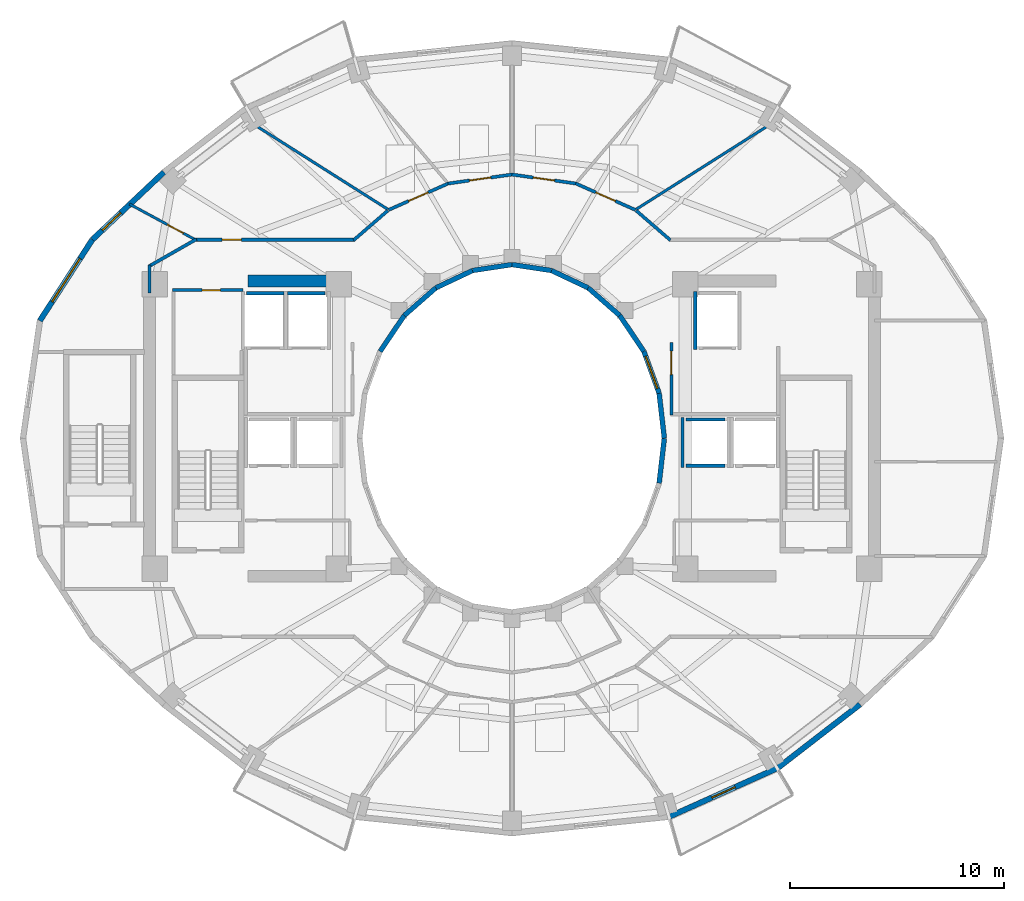
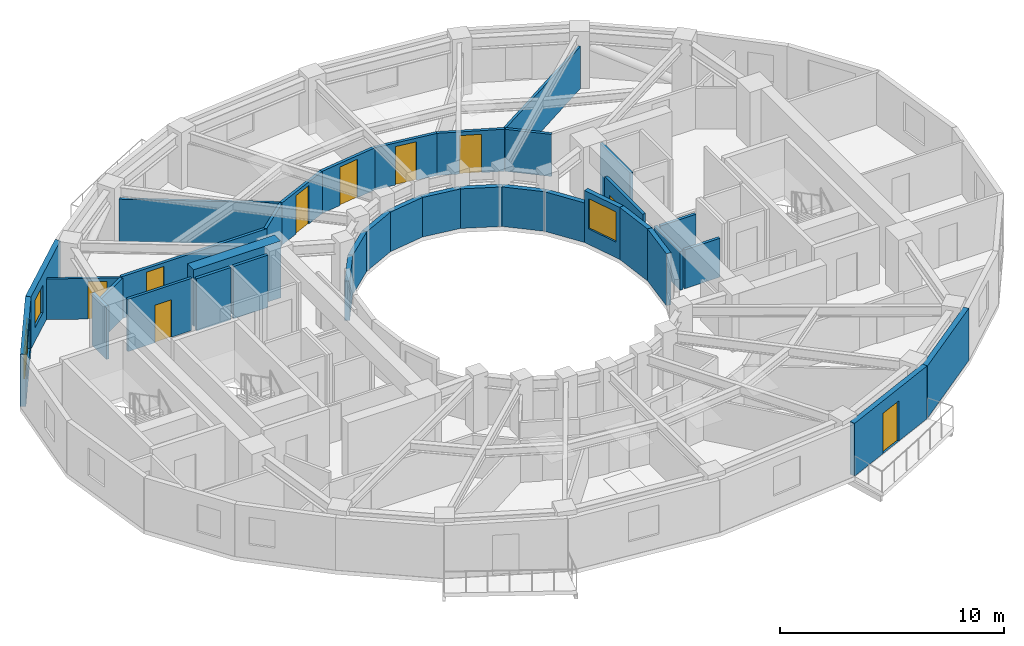
# One storey, part 5 of 10: 36 walls, 9 doors, 3 windows, 12 openings.
"""IFC4 building model written with IfcOpenShell, lengths in metres."""

from ifc_helpers import new_model, si_unit, direction, frame, frame_2d, origin, place, context, subcontext, project, spatial, rectangle, extrude, material, layer, layer_set, type_object, element, fill, save


model = new_model("IFC4")

# Units and contexts
model_context = context("Model", 3, precision=1e-05, world=origin(), true_north=direction((0.0, 1.0)))
body_context = subcontext(model_context, "Body", "Model", "MODEL_VIEW")
ifc_project = project(units=[si_unit("LENGTHUNIT", "METRE"), si_unit("AREAUNIT", "SQUARE_METRE"), si_unit("VOLUMEUNIT", "CUBIC_METRE"), si_unit("PLANEANGLEUNIT", "RADIAN"), si_unit("MASSUNIT", "GRAM", prefix="KILO")], contexts=[model_context])

# Site, building, storey
site_placement = place(None, origin())
site = spatial("IfcSite", under=ifc_project, at=site_placement, CompositionType="ELEMENT")
building_placement = place(site_placement, origin())
building = spatial("IfcBuilding", under=site, at=building_placement, Name="Solvane Sanctuary Tower", CompositionType="ELEMENT")
storey_placement = place(building_placement, frame((0.0, 0.0, 183.89990234375)))
storey = spatial("IfcBuildingStorey", under=building, at=storey_placement, Name="L56", CompositionType="ELEMENT", Elevation=183.89990234375)

# Wall
ifc_material_1 = material(Name="Concrete C50/60", Category="concrete")
ifc_layer_1 = layer(ifc_material_1, 0.550048828125, Name="Concrete C50/60")
ifc_layer_set_1 = layer_set([ifc_layer_1], Name="Concrete C50/60")
wall_type_1 = type_object("IfcWallType", Name="Wall W-CORE-550", PredefinedType="SHEAR", material=ifc_layer_set_1)
wall_1_placement = place(storey_placement, frame((19.64990234375, 30.35009765625, 0.0), z_axis=(0.0, 0.0, 1.0), x_axis=(1.0, 0.0, 0.0)))
element("IfcWall", 1, at=wall_1_placement, inside=storey, type_object=wall_type_1, Name="L56 Core Shear Wall WC-N", PredefinedType="SHEAR", context=body_context, shape_type="SweptSolid", body=[
    extrude(rectangle(XDim=4.5, YDim=0.550048828125, at=frame_2d((2.25, 0.0))), origin(), (0.0, 0.0, 1.0), 3.10009765625),
])

# Wall, opening, door
ifc_material_2 = material(Name="Acoustic Gypsum Partition Board")
ifc_layer_2 = layer(ifc_material_2, 0.14990234375, Name="Acoustic Gypsum Partition Board")
ifc_layer_set_2 = layer_set([ifc_layer_2], Name="Acoustic Gypsum Partition Board")
wall_type_2 = type_object("IfcWallType", Name="Wall W-CORR-150", PredefinedType="PARTITIONING", material=ifc_layer_set_2)
wall_2_placement = place(storey_placement, frame((39.449951171875, 24.080078125, 0.0), z_axis=(0.0, 0.0, 1.0), x_axis=(0.0, 1.0, 0.0)))
wall_2 = element("IfcWall", 2, at=wall_2_placement, inside=storey, type_object=wall_type_2, Name="L56 East Firefighting Lobby West Wall", PredefinedType="PARTITIONING", context=body_context, shape_type="SweptSolid", body=[
    extrude(rectangle(XDim=3.39990234375, YDim=0.14990234375, at=frame_2d((1.699951171875, 0.0))), origin(), (0.0, 0.0, 1.0), 2.85498046875),
])
opening_1_placement = place(wall_2_placement, frame((1.893798828125, 0.0, 0.0)))
opening_1 = element("IfcOpeningElement", 3, at=opening_1_placement, cuts=wall_2, Name="Opening D-L56-09", PredefinedType="OPENING", context=body_context, shape_type="SweptSolid", body=[
    extrude(rectangle(XDim=1.10009765625, YDim=2.10009765625, at=frame_2d((0.550048828125, 1.050048828125))), frame((0.0, 0.0849609375, 0.0), z_axis=(0.0, -1.0, 0.0), x_axis=(1.0, 0.0, 0.0)), (0.0, 0.0, 1.0), 0.169921875),
])
ifc_material_3 = material(Name="Architectural Stainless Steel 316", Category="steel")
door_type_1 = type_object("IfcDoorType", Name="Door D-FFL", OperationType="NOTDEFINED", PredefinedType="DOOR", material=ifc_material_3)
door_1_placement = place(opening_1_placement, origin())
door_1 = element("IfcDoor", 4, at=door_1_placement, inside=storey, type_object=door_type_1, Name="L56 East Firefighting Lobby Fire Door", OperationType="SINGLE_SWING_LEFT", OverallHeight=2.10009765625, OverallWidth=1.10009765625, PredefinedType="DOOR", context=body_context, shape_type="SweptSolid", body=[
    extrude(rectangle(XDim=1.10009765625, YDim=2.10009765625, at=frame_2d((0.550048828125, 1.050048828125))), frame((0.0, 0.02490234375, 0.0), z_axis=(0.0, -1.0, 0.0), x_axis=(1.0, 0.0, 0.0)), (0.0, 0.0, 1.0), 0.050048828125),
])
fill(opening_1, door_1)

# Walls
wall_3_placement = place(storey_placement, frame((37.806640625, 33.64208984375, 0.0), z_axis=(0.0, 0.0, 1.0), x_axis=(0.756055312247, -0.654507727092, 0.0)))
element("IfcWall", 5, at=wall_3_placement, inside=storey, type_object=wall_type_2, Name="L56 NE Corner Throat Wall", PredefinedType="PARTITIONING", context=body_context, shape_type="SweptSolid", body=[
    extrude(rectangle(XDim=2.11083984375, YDim=0.14990234375, at=frame_2d((1.055419921875, 0.0))), origin(), (0.0, 0.0, 1.0), 2.299072265625),
])
wall_4_placement = place(storey_placement, frame((15.050048828125, 29.800048828125, 0.0), z_axis=(0.0, 0.0, 1.0), x_axis=(0.0, 1.0, 0.0)))
element("IfcWall", 6, at=wall_4_placement, inside=storey, type_object=wall_type_2, Name="L56 NW Corner Closer 2", PredefinedType="PARTITIONING", context=body_context, shape_type="SweptSolid", body=[
    extrude(rectangle(XDim=1.2900390625, YDim=0.14990234375, at=frame_2d((0.64501953125, 0.0))), origin(), (0.0, 0.0, 1.0), 2.85498046875),
])
wall_5_placement = place(storey_placement, frame((26.193359375, 33.64208984375, 0.0), z_axis=(0.0, 0.0, 1.0), x_axis=(-0.756055312247, -0.654507727092, 0.0)))
element("IfcWall", 7, at=wall_5_placement, inside=storey, type_object=wall_type_2, Name="L56 NW Corner Throat Wall", PredefinedType="PARTITIONING", context=body_context, shape_type="SweptSolid", body=[
    extrude(rectangle(XDim=2.11083984375, YDim=0.14990234375, at=frame_2d((1.055419921875, 0.0))), origin(), (0.0, 0.0, 1.0), 2.299072265625),
])

# Wall, opening, door
wall_6_placement = place(storey_placement, frame((17.14990234375, 32.280029296875, 0.0), z_axis=(0.0, 0.0, 1.0), x_axis=(1.0, 0.0, 0.0)))
wall_6 = element("IfcWall", 8, at=wall_6_placement, inside=storey, type_object=wall_type_2, Name="L56 NW Corner Corridor Wall", PredefinedType="PARTITIONING", context=body_context, shape_type="SweptSolid", body=[
    extrude(rectangle(XDim=7.52001953125, YDim=0.14990234375, at=frame_2d((3.760009765625, 0.0))), origin(), (0.0, 0.0, 1.0), 2.299072265625),
])
opening_2_placement = place(wall_6_placement, frame((1.300048828125, 0.0, 0.0)))
opening_2 = element("IfcOpeningElement", 9, at=opening_2_placement, cuts=wall_6, Name="Opening D-L56-18", PredefinedType="OPENING", context=body_context, shape_type="SweptSolid", body=[
    extrude(rectangle(XDim=0.89990234375, YDim=2.10009765625, at=frame_2d((0.449951171875, 1.050048828125))), frame((0.0, 0.0849609375, 0.0), z_axis=(0.0, -1.0, 0.0), x_axis=(1.0, 0.0, 0.0)), (0.0, 0.0, 1.0), 0.169921875),
])
ifc_material_4 = material(Name="Engineered Tropical Hardwood", Category="wood")
door_type_2 = type_object("IfcDoorType", Name="Door D-WET-900", OperationType="NOTDEFINED", PredefinedType="DOOR", material=ifc_material_4)
door_2_placement = place(opening_2_placement, origin())
door_2 = element("IfcDoor", 10, at=door_2_placement, inside=storey, type_object=door_type_2, Name="L56 NW Corner Salon Door", OperationType="SINGLE_SWING_RIGHT", OverallHeight=2.10009765625, OverallWidth=0.89990234375, PredefinedType="DOOR", context=body_context, shape_type="SweptSolid", body=[
    extrude(rectangle(XDim=0.89990234375, YDim=2.10009765625, at=frame_2d((0.449951171875, 1.050048828125))), frame((0.0, 0.02490234375, 0.0), z_axis=(0.0, -1.0, 0.0), x_axis=(1.0, 0.0, 0.0)), (0.0, 0.0, 1.0), 0.050048828125),
])
fill(opening_2, door_2)

# Wall
wall_7_placement = place(storey_placement, frame((17.243408203125, 32.3046875, 0.0), z_axis=(0.0, 0.0, 1.0), x_axis=(-0.867991349648, -0.496579315857, 0.0)))
element("IfcWall", 11, at=wall_7_placement, inside=storey, type_object=wall_type_2, Name="L56 NW Corner Wing Wall", PredefinedType="PARTITIONING", context=body_context, shape_type="SweptSolid", body=[
    extrude(rectangle(XDim=2.56689453125, YDim=0.14990234375, at=frame_2d((1.283447265625, 0.0))), origin(), (0.0, 0.0, 1.0), 2.22021484375),
])

# Wall, opening, door
wall_8_placement = place(storey_placement, frame((37.77197265625, 33.673828125, 0.0), z_axis=(0.0, 0.0, 1.0), x_axis=(-0.914324470734, 0.404982422108, 0.0)))
wall_8 = element("IfcWall", 12, at=wall_8_placement, inside=storey, type_object=wall_type_2, Name="L56 Unit Corridor Wall N1", PredefinedType="PARTITIONING", context=body_context, shape_type="SweptSolid", body=[
    extrude(rectangle(XDim=3.0576171875, YDim=0.14990234375, at=frame_2d((1.52880859375, 0.0))), origin(), (0.0, 0.0, 1.0), 2.299072265625),
])
opening_3_placement = place(wall_8_placement, frame((1.02880859375, 0.0, 0.0)))
opening_3 = element("IfcOpeningElement", 13, at=opening_3_placement, cuts=wall_8, Name="Opening D-L56-24", PredefinedType="OPENING", context=body_context, shape_type="SweptSolid", body=[
    extrude(rectangle(XDim=1.0, YDim=2.10009765625, at=frame_2d((0.5, 1.050048828125))), frame((0.0, 0.0849609375, 0.0), z_axis=(0.0, -1.0, 0.0), x_axis=(1.0, 0.0, 0.0)), (0.0, 0.0, 1.0), 0.169921875),
])
door_type_3 = type_object("IfcDoorType", Name="Door D-UNIT", OperationType="NOTDEFINED", PredefinedType="DOOR", material=ifc_material_4)
door_3_placement = place(opening_3_placement, origin())
door_3 = element("IfcDoor", 14, at=door_3_placement, inside=storey, type_object=door_type_3, Name="L56 Unit Entrance Door N1", OperationType="SINGLE_SWING_RIGHT", OverallHeight=2.10009765625, OverallWidth=1.0, PredefinedType="DOOR", context=body_context, shape_type="SweptSolid", body=[
    extrude(rectangle(XDim=1.0, YDim=2.10009765625, at=frame_2d((0.5, 1.050048828125))), frame((0.0, 0.02490234375, 0.0), z_axis=(0.0, -1.0, 0.0), x_axis=(1.0, 0.0, 0.0)), (0.0, 0.0, 1.0), 0.050048828125),
])
fill(opening_3, door_3)

wall_9_placement = place(storey_placement, frame((34.991943359375, 34.90771484375, 0.0), z_axis=(0.0, 0.0, 1.0), x_axis=(-0.990234341072, 0.139412875167, 0.0)))
wall_9 = element("IfcWall", 15, at=wall_9_placement, inside=storey, type_object=wall_type_2, Name="L56 Unit Corridor Wall N2", PredefinedType="PARTITIONING", context=body_context, shape_type="SweptSolid", body=[
    extrude(rectangle(XDim=3.029541015625, YDim=0.14990234375, at=frame_2d((1.5146484375, 0.0))), origin(), (0.0, 0.0, 1.0), 2.299072265625),
])
opening_4_placement = place(wall_9_placement, frame((1.014892578125, 0.0, 0.0)))
opening_4 = element("IfcOpeningElement", 16, at=opening_4_placement, cuts=wall_9, Name="Opening D-L56-25", PredefinedType="OPENING", context=body_context, shape_type="SweptSolid", body=[
    extrude(rectangle(XDim=1.0, YDim=2.10009765625, at=frame_2d((0.5, 1.050048828125))), frame((0.0, 0.0849609375, 0.0), z_axis=(0.0, -1.0, 0.0), x_axis=(1.0, 0.0, 0.0)), (0.0, 0.0, 1.0), 0.169921875),
])
door_4_placement = place(opening_4_placement, origin())
door_4 = element("IfcDoor", 17, at=door_4_placement, inside=storey, type_object=door_type_3, Name="L56 Unit Entrance Door N2", OperationType="SINGLE_SWING_LEFT", OverallHeight=2.10009765625, OverallWidth=1.0, PredefinedType="DOOR", context=body_context, shape_type="SweptSolid", body=[
    extrude(rectangle(XDim=1.0, YDim=2.10009765625, at=frame_2d((0.5, 1.050048828125))), frame((0.0, 0.02490234375, 0.0), z_axis=(0.0, -1.0, 0.0), x_axis=(1.0, 0.0, 0.0)), (0.0, 0.0, 1.0), 0.050048828125),
])
fill(opening_4, door_4)

wall_10_placement = place(storey_placement, frame((32.008056640625, 35.330078125, 0.0), z_axis=(0.0, 0.0, 1.0), x_axis=(-0.990234341072, -0.139412875167, 0.0)))
wall_10 = element("IfcWall", 18, at=wall_10_placement, inside=storey, type_object=wall_type_2, Name="L56 Unit Corridor Wall N3", PredefinedType="PARTITIONING", context=body_context, shape_type="SweptSolid", body=[
    extrude(rectangle(XDim=3.029541015625, YDim=0.14990234375, at=frame_2d((1.5146484375, 0.0))), origin(), (0.0, 0.0, 1.0), 2.299072265625),
])
opening_5_placement = place(wall_10_placement, frame((1.014892578125, 0.0, 0.0)))
opening_5 = element("IfcOpeningElement", 19, at=opening_5_placement, cuts=wall_10, Name="Opening D-L56-26", PredefinedType="OPENING", context=body_context, shape_type="SweptSolid", body=[
    extrude(rectangle(XDim=1.0, YDim=2.10009765625, at=frame_2d((0.5, 1.050048828125))), frame((0.0, 0.0849609375, 0.0), z_axis=(0.0, -1.0, 0.0), x_axis=(1.0, 0.0, 0.0)), (0.0, 0.0, 1.0), 0.169921875),
])
door_5_placement = place(opening_5_placement, origin())
door_5 = element("IfcDoor", 20, at=door_5_placement, inside=storey, type_object=door_type_3, Name="L56 Unit Entrance Door N3", OperationType="SINGLE_SWING_RIGHT", OverallHeight=2.10009765625, OverallWidth=1.0, PredefinedType="DOOR", context=body_context, shape_type="SweptSolid", body=[
    extrude(rectangle(XDim=1.0, YDim=2.10009765625, at=frame_2d((0.5, 1.050048828125))), frame((0.0, 0.02490234375, 0.0), z_axis=(0.0, -1.0, 0.0), x_axis=(1.0, 0.0, 0.0)), (0.0, 0.0, 1.0), 0.050048828125),
])
fill(opening_5, door_5)

wall_11_placement = place(storey_placement, frame((29.023681640625, 34.912109375, 0.0), z_axis=(0.0, 0.0, 1.0), x_axis=(-0.914324470734, -0.404982422108, 0.0)))
wall_11 = element("IfcWall", 21, at=wall_11_placement, inside=storey, type_object=wall_type_2, Name="L56 Unit Corridor Wall N4", PredefinedType="PARTITIONING", context=body_context, shape_type="SweptSolid", body=[
    extrude(rectangle(XDim=3.0576171875, YDim=0.14990234375, at=frame_2d((1.52880859375, 0.0))), origin(), (0.0, 0.0, 1.0), 2.299072265625),
])
opening_6_placement = place(wall_11_placement, frame((1.02880859375, 0.0, 0.0)))
opening_6 = element("IfcOpeningElement", 22, at=opening_6_placement, cuts=wall_11, Name="Opening D-L56-27", PredefinedType="OPENING", context=body_context, shape_type="SweptSolid", body=[
    extrude(rectangle(XDim=1.0, YDim=2.10009765625, at=frame_2d((0.5, 1.050048828125))), frame((0.0, 0.0849609375, 0.0), z_axis=(0.0, -1.0, 0.0), x_axis=(1.0, 0.0, 0.0)), (0.0, 0.0, 1.0), 0.169921875),
])
door_6_placement = place(opening_6_placement, origin())
door_6 = element("IfcDoor", 23, at=door_6_placement, inside=storey, type_object=door_type_3, Name="L56 Unit Entrance Door N4", OperationType="SINGLE_SWING_LEFT", OverallHeight=2.10009765625, OverallWidth=1.0, PredefinedType="DOOR", context=body_context, shape_type="SweptSolid", body=[
    extrude(rectangle(XDim=1.0, YDim=2.10009765625, at=frame_2d((0.5, 1.050048828125))), frame((0.0, 0.02490234375, 0.0), z_axis=(0.0, -1.0, 0.0), x_axis=(1.0, 0.0, 0.0)), (0.0, 0.0, 1.0), 0.050048828125),
])
fill(opening_6, door_6)

# Wall, opening, window
ifc_material_5 = material(Name="Precast concrete C40/50", Category="concrete")
ifc_layer_3 = layer(ifc_material_5, 0.260009765625, Name="Precast concrete C40/50")
ifc_layer_set_3 = layer_set([ifc_layer_3], Name="Precast concrete C40/50")
wall_type_3 = type_object("IfcWallType", Name="Wall W-EXT-250", PredefinedType="STANDARD", material=ifc_layer_set_3)
wall_12_placement = place(storey_placement, frame((15.730712890625, 35.44140625, 0.0), z_axis=(0.0, 0.0, 1.0), x_axis=(-0.727667301037, -0.68593024354, 0.0)))
wall_12 = element("IfcWall", 24, at=wall_12_placement, inside=storey, type_object=wall_type_3, Name="L56 Ceramic-Printed Facade Wall 09", PredefinedType="STANDARD", context=body_context, shape_type="SweptSolid", body=[
    extrude(rectangle(XDim=4.603515625, YDim=0.260009765625, at=frame_2d((2.3017578125, 0.0))), origin(), (0.0, 0.0, 1.0), 2.85009765625),
])
opening_7_placement = place(wall_12_placement, frame((2.772216796875, 0.0, 0.75)))
opening_7 = element("IfcOpeningElement", 25, at=opening_7_placement, cuts=wall_12, Name="Opening WN-OPER-1200", PredefinedType="OPENING", context=body_context, shape_type="SweptSolid", body=[
    extrude(rectangle(XDim=1.199951171875, YDim=1.5, at=frame_2d((0.60009765625, 0.75))), frame((0.0, 0.139892578125, 0.0), z_axis=(0.0, -1.0, 0.0), x_axis=(1.0, 0.0, 0.0)), (0.0, 0.0, 1.0), 0.280029296875),
])
ifc_material_6 = material(Name="Dark Ceramic-Fritted Low-E Glass", Category="glass")
window_type_1 = type_object("IfcWindowType", Name="Window WN-OPER-1200", PartitioningType="SINGLE_PANEL", PredefinedType="WINDOW", material=ifc_material_6)
window_1_placement = place(opening_7_placement, origin())
window_1 = element("IfcWindow", 26, at=window_1_placement, inside=storey, type_object=window_type_1, Name="L56 Operable Facade Window 09", OverallHeight=1.5, OverallWidth=1.199951171875, PartitioningType="SINGLE_PANEL", PredefinedType="WINDOW", context=body_context, shape_type="SweptSolid", body=[
    extrude(rectangle(XDim=1.199951171875, YDim=1.5, at=frame_2d((0.60009765625, 0.75))), frame((0.0, 0.030029296875, 0.0), z_axis=(0.0, -1.0, 0.0), x_axis=(1.0, 0.0, 0.0)), (0.0, 0.0, 1.0), 0.06005859375),
])
fill(opening_7, window_1)

wall_13_placement = place(storey_placement, frame((12.380859375, 32.28369140625, 0.0), z_axis=(0.0, 0.0, 1.0), x_axis=(-0.543358984534, -0.839500454989, 0.0)))
wall_13 = element("IfcWall", 27, at=wall_13_placement, inside=storey, type_object=wall_type_3, Name="L56 Ceramic-Printed Facade Wall 10", PredefinedType="STANDARD", context=body_context, shape_type="SweptSolid", body=[
    extrude(rectangle(XDim=4.51123046875, YDim=0.260009765625, at=frame_2d((2.255615234375, 0.0))), origin(), (0.0, 0.0, 1.0), 2.85009765625),
])
opening_8_placement = place(wall_13_placement, frame((1.0556640625, 0.0, 0.75)))
opening_8 = element("IfcOpeningElement", 28, at=opening_8_placement, cuts=wall_13, Name="Opening WN-RIB-2400", PredefinedType="OPENING", context=body_context, shape_type="SweptSolid", body=[
    extrude(rectangle(XDim=2.39990234375, YDim=1.699951171875, at=frame_2d((1.199951171875, 0.85009765625))), frame((0.0, 0.139892578125, 0.0), z_axis=(0.0, -1.0, 0.0), x_axis=(1.0, 0.0, 0.0)), (0.0, 0.0, 1.0), 0.280029296875),
])
window_type_2 = type_object("IfcWindowType", Name="Window WN-RIB-2400", PartitioningType="SINGLE_PANEL", PredefinedType="WINDOW", material=ifc_material_6)
window_2_placement = place(opening_8_placement, origin())
window_2 = element("IfcWindow", 29, at=window_2_placement, inside=storey, type_object=window_type_2, Name="L56 Operable Facade Window 10", OverallHeight=1.699951171875, OverallWidth=2.39990234375, PartitioningType="SINGLE_PANEL", PredefinedType="WINDOW", context=body_context, shape_type="SweptSolid", body=[
    extrude(rectangle(XDim=2.39990234375, YDim=1.699951171875, at=frame_2d((1.199951171875, 0.85009765625))), frame((0.0, 0.030029296875, 0.0), z_axis=(0.0, -1.0, 0.0), x_axis=(1.0, 0.0, 0.0)), (0.0, 0.0, 1.0), 0.06005859375),
])
fill(opening_8, window_2)

# Wall, opening, door
wall_14_placement = place(storey_placement, frame((39.365234375, 5.3154296875, 0.0), z_axis=(0.0, 0.0, 1.0), x_axis=(0.912353637112, 0.409403029847, 0.0)))
wall_14 = element("IfcWall", 30, at=wall_14_placement, inside=storey, type_object=wall_type_3, Name="L56 Balcony Facade Wall S2", PredefinedType="STANDARD", context=body_context, shape_type="SweptSolid", body=[
    extrude(rectangle(XDim=5.53271484375, YDim=0.260009765625, at=frame_2d((2.766357421875, 0.0))), origin(), (0.0, 0.0, 1.0), 2.880126953125),
])
opening_9_placement = place(wall_14_placement, frame((2.16650390625, 0.0, 0.0)))
opening_9 = element("IfcOpeningElement", 31, at=opening_9_placement, cuts=wall_14, Name="Opening D-L56-04", PredefinedType="OPENING", context=body_context, shape_type="SweptSolid", body=[
    extrude(rectangle(XDim=1.199951171875, YDim=2.199951171875, at=frame_2d((0.60009765625, 1.10009765625))), frame((0.0, 0.139892578125, 0.0), z_axis=(0.0, -1.0, 0.0), x_axis=(1.0, 0.0, 0.0)), (0.0, 0.0, 1.0), 0.280029296875),
])
ifc_material_7 = material(Name="Anodised Aluminium 6063-T6", Category="aluminium")
door_type_4 = type_object("IfcDoorType", Name="Door D-BALC-1200", OperationType="NOTDEFINED", PredefinedType="DOOR", material=ifc_material_7)
door_7_placement = place(opening_9_placement, origin())
door_7 = element("IfcDoor", 32, at=door_7_placement, inside=storey, type_object=door_type_4, Name="L56 Glazed Balcony Door S2", OperationType="SINGLE_SWING_LEFT", OverallHeight=2.199951171875, OverallWidth=1.199951171875, PredefinedType="DOOR", context=body_context, shape_type="SweptSolid", body=[
    extrude(rectangle(XDim=1.199951171875, YDim=2.199951171875, at=frame_2d((0.60009765625, 1.10009765625))), frame((0.0, 0.02490234375, 0.0), z_axis=(0.0, -1.0, 0.0), x_axis=(1.0, 0.0, 0.0)), (0.0, 0.0, 1.0), 0.050048828125),
])
fill(opening_9, door_7)

# Walls
wall_15_placement = place(storey_placement, frame((44.4130859375, 7.58056640625, 0.0), z_axis=(0.0, 0.0, 1.0), x_axis=(0.791460185804, 0.611220724687, 0.0)))
element("IfcWall", 33, at=wall_15_placement, inside=storey, type_object=wall_type_3, Name="L56 Ceramic-Printed Facade Wall 20", PredefinedType="STANDARD", context=body_context, shape_type="SweptSolid", body=[
    extrude(rectangle(XDim=4.872314453125, YDim=0.260009765625, at=frame_2d((2.43603515625, 0.0))), origin(), (0.0, 0.0, 1.0), 2.85009765625),
])
ifc_layer_4 = layer(ifc_material_5, 0.22998046875, Name="Precast concrete C40/50")
ifc_layer_set_4 = layer_set([ifc_layer_4], Name="Precast concrete C40/50")
wall_type_4 = type_object("IfcWallType", Name="Wall W-EXT-SP220", PredefinedType="STANDARD", material=ifc_layer_set_4)
wall_16_placement = place(storey_placement, frame((39.1201171875, 23.0, 0.0), z_axis=(0.0, 0.0, 1.0), x_axis=(-0.114711713601, 0.993398823617, 0.0)))
element("IfcWall", 34, at=wall_16_placement, inside=storey, type_object=wall_type_4, Name="L56 Central Light-Well Wall 00", PredefinedType="STANDARD", context=body_context, shape_type="SweptSolid", body=[
    extrude(rectangle(XDim=2.115478515625, YDim=0.22998046875, at=frame_2d((1.0576171875, 0.0))), origin(), (0.0, 0.0, 1.0), 2.840087890625),
])

# Wall, opening, window
wall_17_placement = place(storey_placement, frame((38.87744140625, 25.1015625, 0.0), z_axis=(0.0, 0.0, 1.0), x_axis=(-0.341423187295, 0.93990968033, 0.0)))
wall_17 = element("IfcWall", 35, at=wall_17_placement, inside=storey, type_object=wall_type_4, Name="L56 Central Light-Well Wall 01", PredefinedType="STANDARD", context=body_context, shape_type="SweptSolid", body=[
    extrude(rectangle(XDim=2.083740234375, YDim=0.22998046875, at=frame_2d((1.0419921875, 0.0))), origin(), (0.0, 0.0, 1.0), 2.840087890625),
])
opening_10_placement = place(wall_17_placement, frame((0.24169921875, 0.0, 0.85009765625)))
opening_10 = element("IfcOpeningElement", 36, at=opening_10_placement, cuts=wall_17, Name="Opening WN-WELL-1600", PredefinedType="OPENING", context=body_context, shape_type="SweptSolid", body=[
    extrude(rectangle(XDim=1.60009765625, YDim=1.64990234375, at=frame_2d((0.800048828125, 0.824951171875))), frame((0.0, 0.125, 0.0), z_axis=(0.0, -1.0, 0.0), x_axis=(1.0, 0.0, 0.0)), (0.0, 0.0, 1.0), 0.25),
])
ifc_material_8 = material(Name="Clear Laminated Light-Well Glass", Category="glass")
window_type_3 = type_object("IfcWindowType", Name="Window WN-WELL-1600", PartitioningType="SINGLE_PANEL", PredefinedType="WINDOW", material=ifc_material_8)
window_3_placement = place(opening_10_placement, origin())
window_3 = element("IfcWindow", 37, at=window_3_placement, inside=storey, type_object=window_type_3, Name="L56 Light-Well Daylight Window 01", OverallHeight=1.64990234375, OverallWidth=1.60009765625, PartitioningType="SINGLE_PANEL", PredefinedType="WINDOW", context=body_context, shape_type="SweptSolid", body=[
    extrude(rectangle(XDim=1.60009765625, YDim=1.64990234375, at=frame_2d((0.800048828125, 0.824951171875))), frame((0.0, 0.030029296875, 0.0), z_axis=(0.0, -1.0, 0.0), x_axis=(1.0, 0.0, 0.0)), (0.0, 0.0, 1.0), 0.06005859375),
])
fill(opening_10, window_3)

# Walls
wall_18_placement = place(storey_placement, frame((38.166015625, 27.06005859375, 0.0), z_axis=(0.0, 0.0, 1.0), x_axis=(-0.558197800898, 0.829707909492, 0.0)))
element("IfcWall", 38, at=wall_18_placement, inside=storey, type_object=wall_type_4, Name="L56 Central Light-Well Wall 02", PredefinedType="STANDARD", context=body_context, shape_type="SweptSolid", body=[
    extrude(rectangle(XDim=2.02685546875, YDim=0.22998046875, at=frame_2d((1.013427734375, 0.0))), origin(), (0.0, 0.0, 1.0), 2.16015625),
])
wall_19_placement = place(storey_placement, frame((37.03466796875, 28.74169921875, 0.0), z_axis=(0.0, 0.0, 1.0), x_axis=(-0.752576694707, 0.658504607869, 0.0)))
element("IfcWall", 39, at=wall_19_placement, inside=storey, type_object=wall_type_4, Name="L56 Central Light-Well Wall 03", PredefinedType="STANDARD", context=body_context, shape_type="SweptSolid", body=[
    extrude(rectangle(XDim=1.95947265625, YDim=0.22998046875, at=frame_2d((0.979736328125, 0.0))), origin(), (0.0, 0.0, 1.0), 2.16015625),
])
wall_20_placement = place(storey_placement, frame((35.56005859375, 30.031982421875, 0.0), z_axis=(0.0, 0.0, 1.0), x_axis=(-0.904179699603, 0.427152280606, 0.0)))
element("IfcWall", 40, at=wall_20_placement, inside=storey, type_object=wall_type_4, Name="L56 Central Light-Well Wall 04", PredefinedType="STANDARD", context=body_context, shape_type="SweptSolid", body=[
    extrude(rectangle(XDim=1.899169921875, YDim=0.22998046875, at=frame_2d((0.94970703125, 0.0))), origin(), (0.0, 0.0, 1.0), 2.16015625),
])
for number, where, z_axis, x_axis, name in (
    (41, (33.8427734375, 30.84326171875, 0.0), (0.0, 0.0, 1.0), (-0.988901730308, 0.148571086668, 0.0), "L56 Central Light-Well Wall 05"),
    (42, (32.0, 31.1201171875, 0.0), (0.0, 0.0, 1.0), (-0.988901730308, -0.148571086668, 0.0), "L56 Central Light-Well Wall 06"),
):
    element("IfcWall", number, at=place(storey_placement, frame(where, z_axis=z_axis, x_axis=x_axis)), inside=storey, type_object=wall_type_4, Name=name, PredefinedType="STANDARD", context=body_context, shape_type="SweptSolid", body=[
        extrude(rectangle(XDim=1.863525390625, YDim=0.22998046875, at=frame_2d((0.931640625, 0.0))), origin(), (0.0, 0.0, 1.0), 2.16015625),
    ])
wall_21_placement = place(storey_placement, frame((30.1572265625, 30.84326171875, 0.0), z_axis=(0.0, 0.0, 1.0), x_axis=(-0.904179699603, -0.427152280606, 0.0)))
element("IfcWall", 43, at=wall_21_placement, inside=storey, type_object=wall_type_4, Name="L56 Central Light-Well Wall 07", PredefinedType="STANDARD", context=body_context, shape_type="SweptSolid", body=[
    extrude(rectangle(XDim=1.899169921875, YDim=0.22998046875, at=frame_2d((0.94970703125, 0.0))), origin(), (0.0, 0.0, 1.0), 2.16015625),
])
wall_22_placement = place(storey_placement, frame((28.43994140625, 30.031982421875, 0.0), z_axis=(0.0, 0.0, 1.0), x_axis=(-0.752576694707, -0.658504607869, 0.0)))
element("IfcWall", 44, at=wall_22_placement, inside=storey, type_object=wall_type_4, Name="L56 Central Light-Well Wall 08", PredefinedType="STANDARD", context=body_context, shape_type="SweptSolid", body=[
    extrude(rectangle(XDim=1.95947265625, YDim=0.22998046875, at=frame_2d((0.979736328125, 0.0))), origin(), (0.0, 0.0, 1.0), 2.16015625),
])
wall_23_placement = place(storey_placement, frame((26.96533203125, 28.74169921875, 0.0), z_axis=(0.0, 0.0, 1.0), x_axis=(-0.558197800898, -0.829707909492, 0.0)))
element("IfcWall", 45, at=wall_23_placement, inside=storey, type_object=wall_type_4, Name="L56 Central Light-Well Wall 09", PredefinedType="STANDARD", context=body_context, shape_type="SweptSolid", body=[
    extrude(rectangle(XDim=2.02685546875, YDim=0.22998046875, at=frame_2d((1.013427734375, 0.0))), origin(), (0.0, 0.0, 1.0), 2.16015625),
])
wall_24_placement = place(storey_placement, frame((38.87744140625, 20.8984375, 0.0), z_axis=(0.0, 0.0, 1.0), x_axis=(0.114711713601, 0.993398823617, 0.0)))
element("IfcWall", 46, at=wall_24_placement, inside=storey, type_object=wall_type_4, Name="L56 Central Light-Well Wall 23", PredefinedType="STANDARD", context=body_context, shape_type="SweptSolid", body=[
    extrude(rectangle(XDim=2.115478515625, YDim=0.22998046875, at=frame_2d((1.0576171875, 0.0))), origin(), (0.0, 0.0, 1.0), 2.840087890625),
])

# Wall, opening, door
ifc_layer_5 = layer(ifc_material_2, 0.1201171875, Name="Acoustic Gypsum Partition Board")
ifc_layer_set_5 = layer_set([ifc_layer_5], Name="Acoustic Gypsum Partition Board")
wall_type_5 = type_object("IfcWallType", Name="Wall W-MOV-100", PredefinedType="MOVABLE", material=ifc_layer_set_5)
wall_25_placement = place(storey_placement, frame((17.243896484375, 32.256103515625, 0.0), z_axis=(0.0, 0.0, 1.0), x_axis=(-0.879385297668, 0.476110804587, 0.0)))
wall_25 = element("IfcWall", 47, at=wall_25_placement, inside=storey, type_object=wall_type_5, Name="L56 NW Corner Suite Partition", PredefinedType="MOVABLE", context=body_context, shape_type="SweptSolid", body=[
    extrude(rectangle(XDim=3.559814453125, YDim=0.1201171875, at=frame_2d((1.77978515625, 0.0))), origin(), (0.0, 0.0, 1.0), 2.22021484375),
])
opening_11_placement = place(wall_25_placement, frame((0.6943359375, 0.0, 0.0)))
opening_11 = element("IfcOpeningElement", 48, at=opening_11_placement, cuts=wall_25, Name="Opening D-L56-17", PredefinedType="OPENING", context=body_context, shape_type="SweptSolid", body=[
    extrude(rectangle(XDim=0.85009765625, YDim=2.050048828125, at=frame_2d((0.425048828125, 1.02490234375))), frame((0.0, 0.070068359375, 0.0), z_axis=(0.0, -1.0, 0.0), x_axis=(1.0, 0.0, 0.0)), (0.0, 0.0, 1.0), 0.14013671875),
])
door_type_5 = type_object("IfcDoorType", Name="Door D-RISER", OperationType="NOTDEFINED", PredefinedType="DOOR", material=ifc_material_3)
door_8_placement = place(opening_11_placement, origin())
door_8 = element("IfcDoor", 49, at=door_8_placement, inside=storey, type_object=door_type_5, Name="L56 NW Corner Suite Door", OperationType="SINGLE_SWING_LEFT", OverallHeight=2.050048828125, OverallWidth=0.85009765625, PredefinedType="DOOR", context=body_context, shape_type="SweptSolid", body=[
    extrude(rectangle(XDim=0.85009765625, YDim=2.050048828125, at=frame_2d((0.425048828125, 1.02490234375))), frame((0.0, 0.02490234375, 0.0), z_axis=(0.0, -1.0, 0.0), x_axis=(1.0, 0.0, 0.0)), (0.0, 0.0, 1.0), 0.050048828125),
])
fill(opening_11, door_8)

# Walls
ifc_layer_6 = layer(ifc_material_2, 0.125, Name="Acoustic Gypsum Partition Board")
ifc_layer_set_6 = layer_set([ifc_layer_6], Name="Acoustic Gypsum Partition Board")
wall_type_6 = type_object("IfcWallType", Name="Wall W-PART-125", PredefinedType="PARTITIONING", material=ifc_layer_set_6)
for number, where, z_axis, x_axis, name in (
    (50, (37.8115234375, 33.70751953125, 0.0), (0.0, 0.0, 1.0), (0.844640430122, 0.535334048799, 0.0), "L56 Radial Compartment Wall 060"),
    (51, (26.1884765625, 33.70751953125, 0.0), (0.0, 0.0, 1.0), (-0.844640430122, 0.535334048799, 0.0), "L56 Radial Compartment Wall 120"),
):
    element("IfcWall", number, at=place(storey_placement, frame(where, z_axis=z_axis, x_axis=x_axis)), inside=storey, type_object=wall_type_6, Name=name, PredefinedType="PARTITIONING", context=body_context, shape_type="SweptSolid", body=[
        extrude(rectangle(XDim=7.188232421875, YDim=0.125, at=frame_2d((3.59423828125, 0.0))), origin(), (0.0, 0.0, 1.0), 2.299072265625),
    ])
ifc_layer_7 = layer(ifc_material_1, 0.14990234375, Name="Concrete C50/60")
ifc_layer_set_7 = layer_set([ifc_layer_7], Name="Concrete C50/60")
wall_type_7 = type_object("IfcWallType", Name="Wall W-SHAFT-150", PredefinedType="SOLIDWALL", material=ifc_layer_set_7)
for number, where, z_axis, x_axis, name in (
    (52, (40.139892578125, 21.719970703125, 0.0), (0.0, 0.0, 1.0), (1.0, 0.0, 0.0), "L56 PH-2 Lift Shaft Wall F"),
    (53, (40.139892578125, 23.8798828125, 0.0), (0.0, 0.0, 1.0), (1.0, 0.0, 0.0), "L56 PH-2 Lift Shaft Wall B"),
):
    element("IfcWall", number, at=place(storey_placement, frame(where, z_axis=z_axis, x_axis=x_axis)), inside=storey, type_object=wall_type_7, Name=name, PredefinedType="SOLIDWALL", context=body_context, shape_type="SweptSolid", body=[
        extrude(rectangle(XDim=1.820068359375, YDim=0.14990234375, at=frame_2d((0.91015625, 0.0))), origin(), (0.0, 0.0, 1.0), 2.1201171875),
    ])
wall_26_placement = place(storey_placement, frame((39.969970703125, 21.639892578125, 0.0), z_axis=(0.0, 0.0, 1.0), x_axis=(0.0, 1.0, 0.0)))
element("IfcWall", 54, at=wall_26_placement, inside=storey, type_object=wall_type_7, Name="L56 PH-2 Lift Shaft Wall S1", PredefinedType="SOLIDWALL", context=body_context, shape_type="SweptSolid", body=[
    extrude(rectangle(XDim=2.320068359375, YDim=0.14990234375, at=frame_2d((1.16015625, 0.0))), origin(), (0.0, 0.0, 1.0), 2.1201171875),
])
for number, where, z_axis, x_axis, name in (
    (55, (19.590087890625, 29.780029296875, 0.0), (0.0, 0.0, 1.0), (1.0, 0.0, 0.0), "L56 FFL-1 Lift Shaft Wall B"),
    (56, (21.5, 29.780029296875, 0.0), (0.0, 0.0, 1.0), (1.0, 0.0, 0.0), "L56 SVL-1 Lift Shaft Wall B"),
):
    element("IfcWall", number, at=place(storey_placement, frame(where, z_axis=z_axis, x_axis=x_axis)), inside=storey, type_object=wall_type_7, Name=name, PredefinedType="SOLIDWALL", context=body_context, shape_type="SweptSolid", body=[
        extrude(rectangle(XDim=1.760009765625, YDim=0.14990234375, at=frame_2d((0.8798828125, 0.0))), origin(), (0.0, 0.0, 1.0), 2.85498046875),
    ])
wall_27_placement = place(storey_placement, frame((40.570068359375, 27.139892578125, 0.0), z_axis=(0.0, 0.0, 1.0), x_axis=(0.0, 1.0, 0.0)))
element("IfcWall", 57, at=wall_27_placement, inside=storey, type_object=wall_type_7, Name="L56 FFL-2 Lift Shaft Wall S1", PredefinedType="SOLIDWALL", context=body_context, shape_type="SweptSolid", body=[
    extrude(rectangle(XDim=2.72021484375, YDim=0.14990234375, at=frame_2d((1.360107421875, 0.0))), origin(), (0.0, 0.0, 1.0), 2.85498046875),
])

# Wall, opening, door
ifc_layer_8 = layer(ifc_material_2, 0.139892578125, Name="Acoustic Gypsum Partition Board")
ifc_layer_set_8 = layer_set([ifc_layer_8], Name="Acoustic Gypsum Partition Board")
wall_type_8 = type_object("IfcWallType", Name="Wall W-WET-140", PredefinedType="PLUMBINGWALL", material=ifc_layer_set_8)
wall_28_placement = place(storey_placement, frame((16.1201171875, 29.919921875, 0.0), z_axis=(0.0, 0.0, 1.0), x_axis=(1.0, 0.0, 0.0)))
wall_28 = element("IfcWall", 58, at=wall_28_placement, inside=storey, type_object=wall_type_8, Name="L56 Core Service Front Wall KW0", PredefinedType="PLUMBINGWALL", context=body_context, shape_type="SweptSolid", body=[
    extrude(rectangle(XDim=3.2998046875, YDim=0.139892578125, at=frame_2d((1.64990234375, 0.0))), origin(), (0.0, 0.0, 1.0), 2.85498046875),
])
opening_12_placement = place(wall_28_placement, frame((1.3994140625, 0.0, 0.0)))
opening_12 = element("IfcOpeningElement", 59, at=opening_12_placement, cuts=wall_28, Name="Opening D-L56-12", PredefinedType="OPENING", context=body_context, shape_type="SweptSolid", body=[
    extrude(rectangle(XDim=0.85009765625, YDim=2.050048828125, at=frame_2d((0.425048828125, 1.02490234375))), frame((0.0, 0.079833984375, 0.0), z_axis=(0.0, -1.0, 0.0), x_axis=(1.0, 0.0, 0.0)), (0.0, 0.0, 1.0), 0.159912109375),
])
door_9_placement = place(opening_12_placement, origin())
door_9 = element("IfcDoor", 60, at=door_9_placement, inside=storey, type_object=door_type_5, Name="L56 Core Service Room Door KW0-1", OperationType="SINGLE_SWING_RIGHT", OverallHeight=2.050048828125, OverallWidth=0.85009765625, PredefinedType="DOOR", context=body_context, shape_type="SweptSolid", body=[
    extrude(rectangle(XDim=0.85009765625, YDim=2.050048828125, at=frame_2d((0.425048828125, 1.02490234375))), frame((0.0, 0.02490234375, 0.0), z_axis=(0.0, -1.0, 0.0), x_axis=(1.0, 0.0, 0.0)), (0.0, 0.0, 1.0), 0.050048828125),
])
fill(opening_12, door_9)

save(model, "model.ifc")
